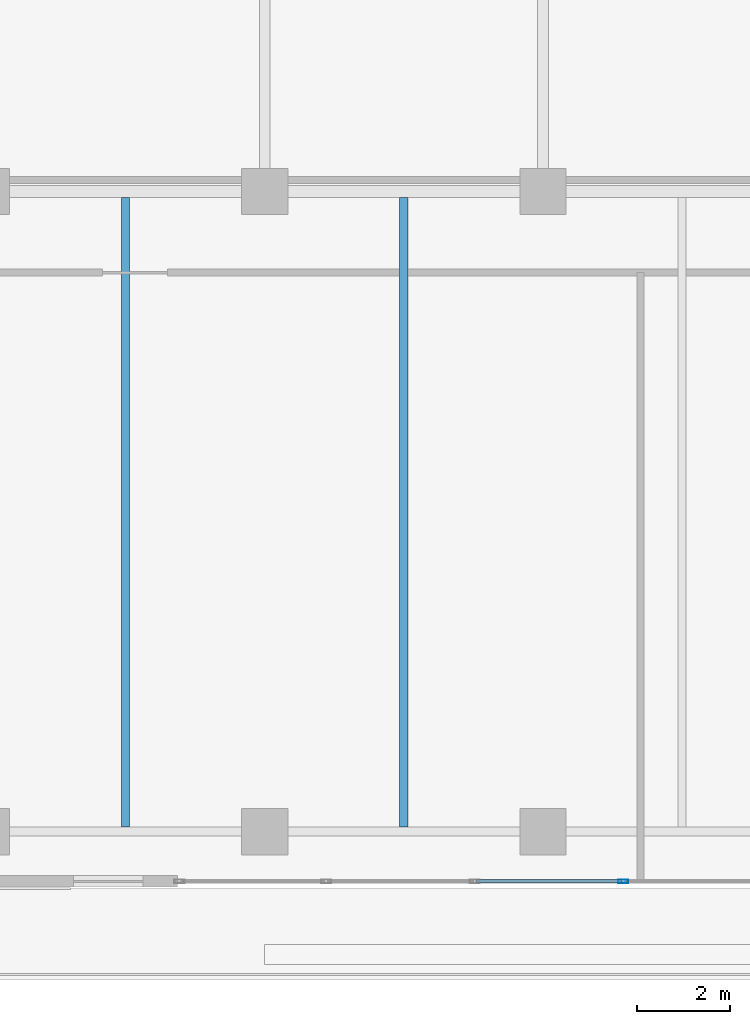
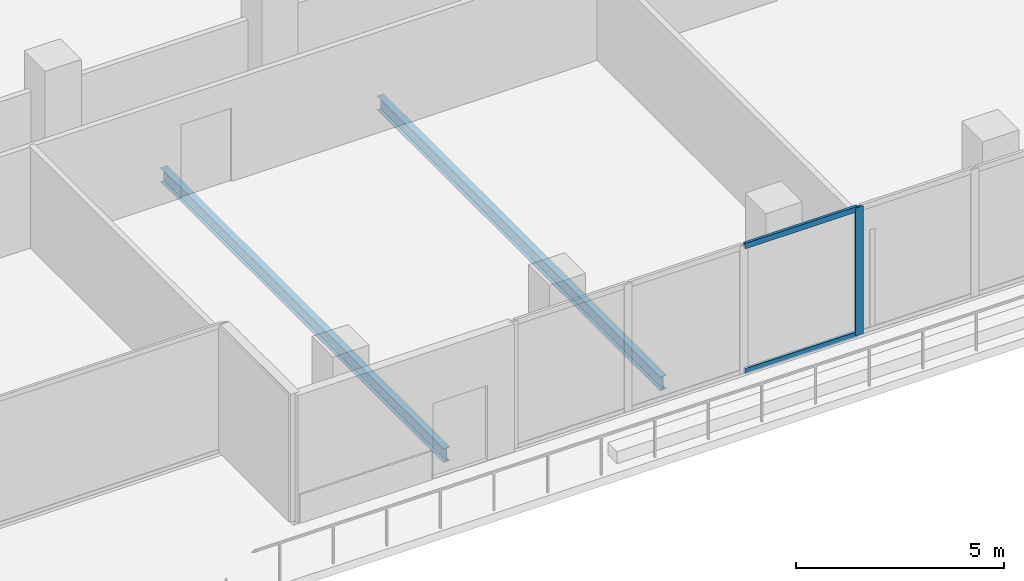
# One storey, part 7 of 38: 3 members, 2 beams, 1 element without a shape of its own.
"""IFC4 building model written with IfcOpenShell, lengths in metres."""

from ifc_helpers import new_model, si_unit, direction, frame, origin, origin_2d, place, context, subcontext, project, spatial, hollow_rectangle, i_section, extrude, material, layer, layer_set, material_profile, profile_set, type_object, element, aggregate, save


model = new_model("IFC4")

# Units and contexts
model_context = context("Model", 3, precision=1e-05, world=origin(), true_north=direction((0.0, 1.0)))
body_context = subcontext(model_context, "Body", "Model", "MODEL_VIEW")
ifc_project = project(units=[si_unit("LENGTHUNIT", "METRE"), si_unit("AREAUNIT", "SQUARE_METRE"), si_unit("VOLUMEUNIT", "CUBIC_METRE"), si_unit("PLANEANGLEUNIT", "RADIAN"), si_unit("MASSUNIT", "GRAM", prefix="KILO")], contexts=[model_context])

# Site, building, storey
site_placement = place(None, origin())
site = spatial("IfcSite", under=ifc_project, at=site_placement, CompositionType="ELEMENT")
building_placement = place(site_placement, origin())
building = spatial("IfcBuilding", under=site, at=building_placement, Name="Tanjung Sevakor Pilgrim Tower", CompositionType="ELEMENT")
storey_placement = place(building_placement, frame((0.0, 0.0, 78.2099609375)))
storey = spatial("IfcBuildingStorey", under=building, at=storey_placement, Name="L21", CompositionType="ELEMENT", Elevation=78.2099609375)

# Beams
ifc_material_1 = material(Name="Steel S355J2", Category="steel")
ifc_material_profile_1 = material_profile(ifc_material_1, i_section(OverallWidth=0.1787109375, OverallDepth=0.409423828125, WebThickness=0.0087890625, FlangeThickness=0.014404296875, FilletRadius=0.01025390625, at=origin_2d()))
ifc_profile_set_1 = profile_set([ifc_material_profile_1], Name="Steel S355J2")
beam_type = type_object("IfcBeamType", Name="BM-B-J3-UB_406x178x67", PredefinedType="JOIST", material=ifc_profile_set_1)
for number, where, z_axis, x_axis, name in (
    (1, (57.0, 10.89990234375, -0.484619140625), (0.0, 1.0, 0.0), (-1.0, 0.0, 0.0), "L21 MAIN Joist 010"),
    (2, (63.0, 10.89990234375, -0.484619140625), (0.0, 1.0, 0.0), (-1.0, 0.0, 0.0), "L21 MAIN Joist 013"),
):
    element("IfcBeam", number, at=place(storey_placement, frame(where, z_axis=z_axis, x_axis=x_axis)), inside=storey, type_object=beam_type, Name=name, PredefinedType="JOIST", context=body_context, shape_type="SweptSolid", body=[
        extrude(i_section(OverallWidth=0.1787109375, OverallDepth=0.409423828125, WebThickness=0.0087890625, FlangeThickness=0.014404296875, FilletRadius=0.01025390625, at=origin_2d()), origin(), (0.0, 0.0, 1.0), 13.57275390625),
    ])

# Curtain wall, members
ifc_material_2 = material(Name="Aluminium 6063-T6 and Low-E Glass", Category="aluminium")
ifc_layer = layer(ifc_material_2, 0.199951171875)
ifc_layer_set = layer_set([ifc_layer], Name="CW-SYS-SKY")
curtain_wall_type = type_object("IfcCurtainWallType", Name="CW-SYS-SKY", PredefinedType="NOTDEFINED", material=ifc_layer_set)
curtain_wall_placement = place(storey_placement, origin())
curtain_wall = element("IfcCurtainWall", 3, at=curtain_wall_placement, inside=storey, type_object=curtain_wall_type, Name="L21 Curtain Wall CW-SKY-L21-S", PredefinedType="NOTDEFINED")
ifc_material_3 = material(Name="Aluminium 6063-T6", Category="aluminium")
ifc_material_profile_2 = material_profile(ifc_material_3, hollow_rectangle(XDim=0.074951171875, YDim=0.219970703125, WallThickness=0.0048828125, at=origin_2d()))
ifc_profile_set_2 = profile_set([ifc_material_profile_2], Name="Aluminium 6063-T6")
member_type_1 = type_object("IfcMemberType", Name="TYPE-CWM-2", PredefinedType="MULLION", material=ifc_profile_set_2)
member_1_placement = place(storey_placement, frame((67.73193359375, 9.72509765625, 0.0), z_axis=(0.0, 0.0, 1.0), x_axis=(0.0, 1.0, 0.0)))
member_1 = element("IfcMember", 4, at=member_1_placement, type_object=member_type_1, Name="CW-SKY mullion 4", PredefinedType="MULLION", context=body_context, shape_type="SweptSolid", body=[
    extrude(hollow_rectangle(XDim=0.074951171875, YDim=0.219970703125, WallThickness=0.0048828125, at=origin_2d()), origin(), (0.0, 0.0, 1.0), 3.739990234375),
])
ifc_material_4 = material(Name="Aluminium 6063-T6", Category="aluminium")
ifc_material_profile_3 = material_profile(ifc_material_4, hollow_rectangle(XDim=0.074951171875, YDim=0.159912109375, WallThickness=0.00439453125, at=origin_2d()))
ifc_profile_set_3 = profile_set([ifc_material_profile_3], Name="Aluminium 6063-T6")
member_type_2 = type_object("IfcMemberType", Name="TYPE-CWT-2", PredefinedType="USERDEFINED", material=ifc_profile_set_3)
member_2_placement = place(storey_placement, frame((64.567138671875, 9.72509765625, 0.03759765625), z_axis=(1.0, 0.0, 0.0), x_axis=(0.0, 1.0, 0.0)))
member_2 = element("IfcMember", 5, at=member_2_placement, type_object=member_type_2, Name="CW-SKY transom 3.1", ObjectType="TRANSOM", PredefinedType="USERDEFINED", context=body_context, shape_type="SweptSolid", body=[
    extrude(hollow_rectangle(XDim=0.074951171875, YDim=0.159912109375, WallThickness=0.00439453125, at=origin_2d()), origin(), (0.0, 0.0, 1.0), 3.12744140625),
])
member_3_placement = place(storey_placement, frame((64.567138671875, 9.72509765625, 3.70263671875), z_axis=(1.0, 0.0, 0.0), x_axis=(0.0, 1.0, 0.0)))
member_3 = element("IfcMember", 6, at=member_3_placement, type_object=member_type_2, Name="CW-SKY transom 3.2", ObjectType="TRANSOM", PredefinedType="USERDEFINED", context=body_context, shape_type="SweptSolid", body=[
    extrude(hollow_rectangle(XDim=0.074951171875, YDim=0.159912109375, WallThickness=0.00439453125, at=origin_2d()), origin(), (0.0, 0.0, 1.0), 3.12744140625),
])
aggregate(curtain_wall, [member_1, member_2, member_3])

save(model, "model.ifc")
